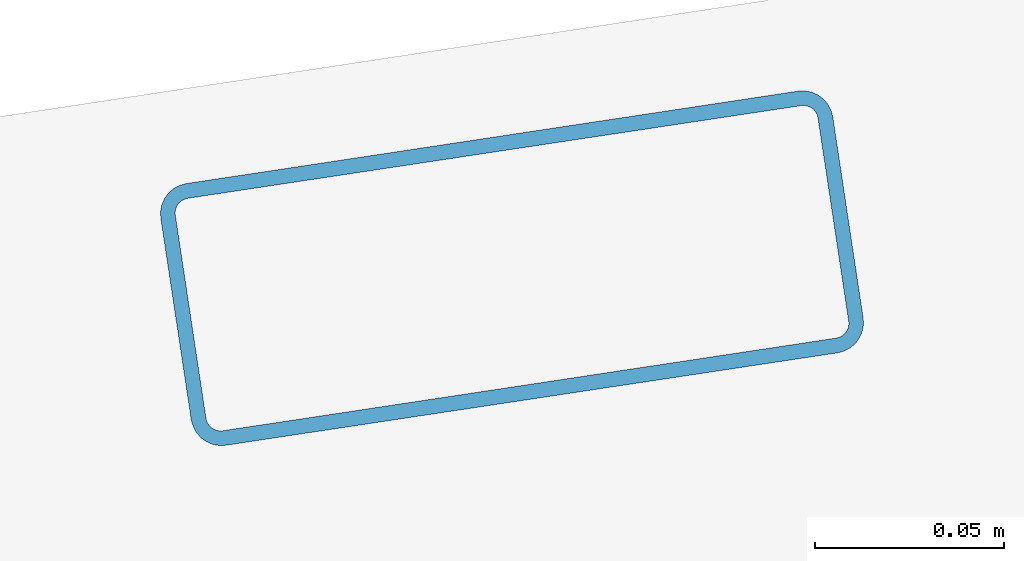
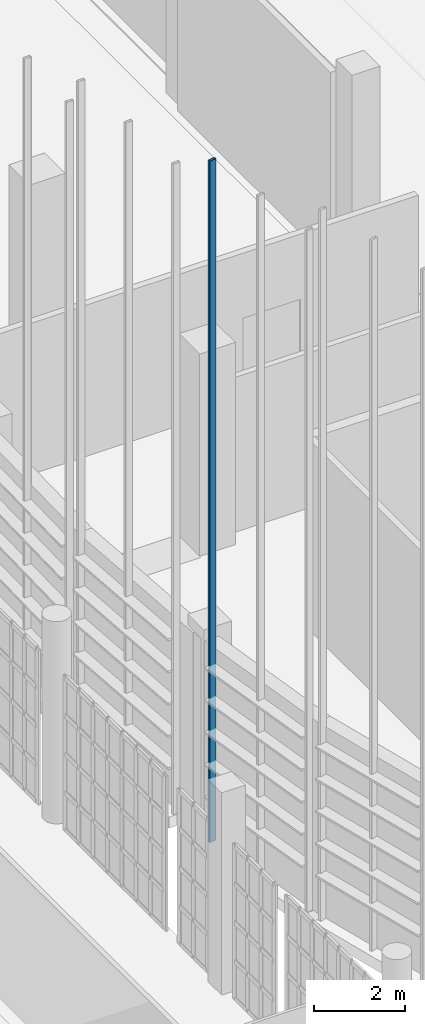
# One storey, part 187 of 372: 1 member.
"""IFC4 building model written with IfcOpenShell, lengths in metres."""

from ifc_helpers import new_model, si_unit, direction, frame, origin, origin_2d, place, context, subcontext, project, spatial, hollow_rectangle, extrude, material, material_profile, profile_set, type_object, element, save


model = new_model("IFC4")

# Units and contexts
model_context = context("Model", 3, precision=1e-05, world=origin(), true_north=direction((0.0, 1.0)))
body_context = subcontext(model_context, "Body", "Model", "MODEL_VIEW")
ifc_project = project(units=[si_unit("LENGTHUNIT", "METRE"), si_unit("AREAUNIT", "SQUARE_METRE"), si_unit("VOLUMEUNIT", "CUBIC_METRE"), si_unit("PLANEANGLEUNIT", "RADIAN"), si_unit("MASSUNIT", "GRAM", prefix="KILO")], contexts=[model_context])

# Site, building, storey
site_placement = place(None, origin())
site = spatial("IfcSite", under=ifc_project, at=site_placement, CompositionType="ELEMENT")
building_placement = place(site_placement, origin())
building = spatial("IfcBuilding", under=site, at=building_placement, Name="Kaelora Sail Theatre", CompositionType="ELEMENT")
storey_placement = place(building_placement, origin())
storey = spatial("IfcBuildingStorey", under=building, at=storey_placement, Name="L00", CompositionType="ELEMENT", Elevation=0.0)

# Member
ifc_material = material(Name="Anodised aluminium 6063-T6", Category="aluminium")
ifc_material_profile = material_profile(ifc_material, hollow_rectangle(XDim=0.070068359375, YDim=0.179931640625, WallThickness=0.00390625, InnerFilletRadius=0.00390625, OuterFilletRadius=0.008056640625, at=origin_2d()), Name="ALU-MULL 70x180x4")
ifc_profile_set = profile_set([ifc_material_profile], Name="Anodised aluminium 6063-T6")
member_type = type_object("IfcMemberType", Name="ARC-MEM-PST-160", PredefinedType="POST", material=ifc_profile_set)
member_placement = place(storey_placement, frame((76.860107421875, 51.04443359375, 0.0), z_axis=(0.0, 0.0, 1.0), x_axis=(-0.149362770624, 0.988782464828, 0.0)))
element("IfcMember", 1, at=member_placement, inside=storey, type_object=member_type, Name="Studio Theatre Sail Drum solar louvre vertical support post C18-3", PredefinedType="POST", context=body_context, shape_type="SweptSolid", body=[
    extrude(hollow_rectangle(XDim=0.070068359375, YDim=0.179931640625, WallThickness=0.00390625, InnerFilletRadius=0.00390625, OuterFilletRadius=0.008056640625, at=origin_2d()), origin(), (0.0, 0.0, 1.0), 18.1962890625),
])

save(model, "model.ifc")
